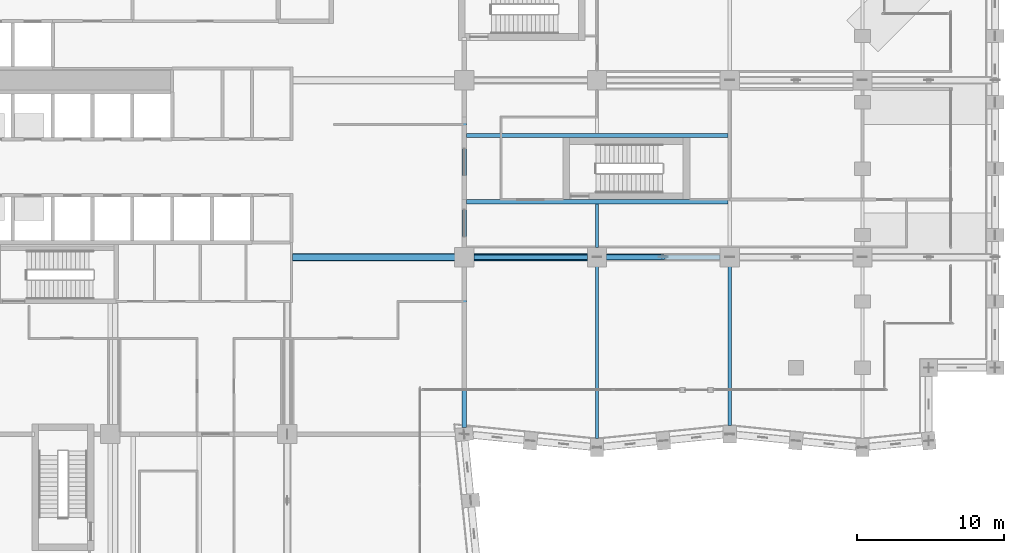
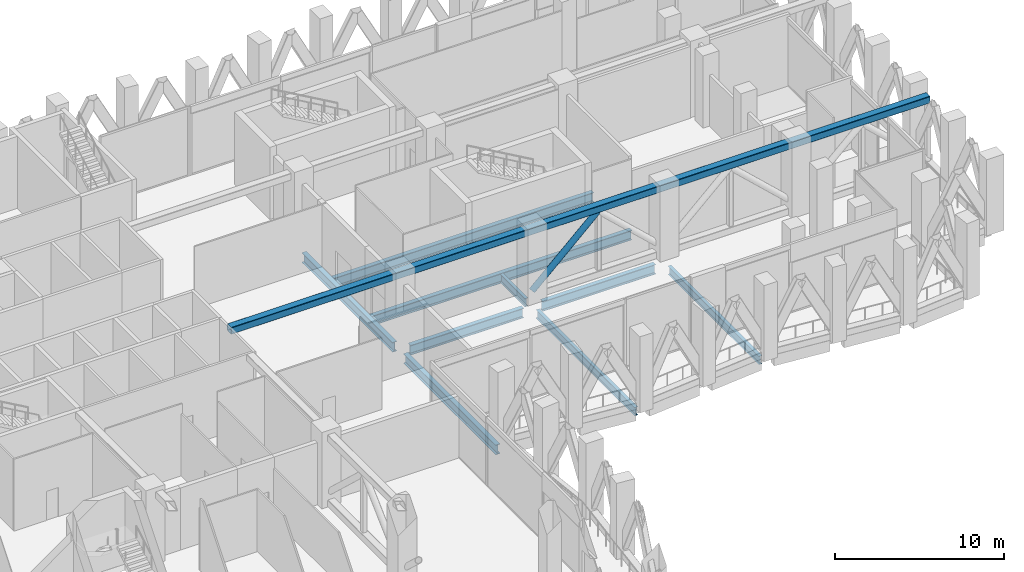
# One storey, part 13 of 37: 9 beams, 2 members.
"""IFC4 building model written with IfcOpenShell, lengths in metres."""

import ifcopenshell
import ifcopenshell.guid

model = None  # the IFC model being written
_history = None  # IfcOwnerHistory: only IFC2X3 demands one
_inside = {}  # id of a spatial element -> (the spatial element, [elements in it])
_under = {}  # id of a project, library or spatial element -> (it, [spatial elements below it])
_declared = {}  # id of a project -> (the project, [libraries it declares])
_typed = {}  # id of a type object -> (the type object, [elements of that type])
_made_of = {}  # id of a material, layer set ... -> (it, [elements and type objects made of it])


def new_model(schema):
    """Start an empty IFC model of exactly this schema.

    Asked for "IFC4X3", IfcOpenShell would pick the latest addendum, in which some entities
    have other attributes; the version numbers below select the first issue.
    IFC2X3 requires an IfcOwnerHistory on every rooted entity: one is made here for all.
    """
    global model, _history
    if schema == "IFC4X3":
        model = ifcopenshell.file(schema_version=(4, 3, 0, 0))
    else:
        model = ifcopenshell.file(schema=schema)
    _inside.clear()
    _under.clear()
    _declared.clear()
    _typed.clear()
    _made_of.clear()
    _history = None
    if model.schema == "IFC2X3":
        org = make("IfcOrganization", Name="unknown")
        user = make(
            "IfcPersonAndOrganization",
            ThePerson=make("IfcPerson", FamilyName="unknown"),
            TheOrganization=org,
        )
        app = make(
            "IfcApplication",
            ApplicationDeveloper=org,
            Version="unknown",
            ApplicationFullName="unknown",
            ApplicationIdentifier="unknown",
        )
        _history = make(
            "IfcOwnerHistory",
            OwningUser=user,
            OwningApplication=app,
            ChangeAction="ADDED",
            CreationDate=0,
        )
    return model


def make(cls, **values):
    """One entity of the class cls with the attributes given. An attribute that is None is left unset."""
    return model.create_entity(
        cls, **{name: value for name, value in values.items() if value is not None}
    )


def rooted(cls, **values):
    """An entity with a GlobalId (a new one), such as an element, a storey or a relation."""
    return make(cls, GlobalId=ifcopenshell.guid.new(), OwnerHistory=_history, **values)


def si_unit(unit_type, name, prefix=None):
    """IfcSIUnit, for example si_unit("LENGTHUNIT", "METRE", prefix="MILLI")."""
    return make("IfcSIUnit", UnitType=unit_type, Prefix=prefix, Name=name)


def assignment(units):
    """IfcUnitAssignment: the units of a project."""
    return None if units is None else make("IfcUnitAssignment", Units=units)


def point(xyz):
    """IfcCartesianPoint."""
    return None if xyz is None else make("IfcCartesianPoint", Coordinates=xyz)


def direction(xyz):
    """IfcDirection."""
    return None if xyz is None else make("IfcDirection", DirectionRatios=xyz)


def frame(location, z_axis=None, x_axis=None):
    """IfcAxis2Placement3D, a coordinate frame: its origin and axes. An axis left out is left unset."""
    return make(
        "IfcAxis2Placement3D",
        Location=point(location),
        Axis=direction(z_axis),
        RefDirection=direction(x_axis),
    )


def frame_2d(location, x_axis=None):
    """IfcAxis2Placement2D, a coordinate frame in the plane: its origin and x axis."""
    return make(
        "IfcAxis2Placement2D", Location=point(location), RefDirection=direction(x_axis)
    )


def origin():
    """The frame at (0, 0, 0) with its axes left unset."""
    return frame((0.0, 0.0, 0.0))


def origin_2d():
    """The frame at (0, 0) in the plane with its x axis left unset."""
    return frame_2d((0.0, 0.0))


def place(relative_to, where):
    """IfcLocalPlacement: puts the frame where relative to a parent placement (None: the world)."""
    return make(
        "IfcLocalPlacement", PlacementRelTo=relative_to, RelativePlacement=where
    )


def context(
    kind, dimensions, precision=None, world=None, true_north=None, identifier=None
):
    """IfcGeometricRepresentationContext, for example the 3D "Model" context."""
    return make(
        "IfcGeometricRepresentationContext",
        ContextIdentifier=identifier,
        ContextType=kind,
        CoordinateSpaceDimension=dimensions,
        Precision=precision,
        WorldCoordinateSystem=world,
        TrueNorth=true_north,
    )


def subcontext(parent, identifier, kind, view, scale=None):
    """IfcGeometricRepresentationSubContext, for example "Body" below "Model"."""
    return make(
        "IfcGeometricRepresentationSubContext",
        ContextIdentifier=identifier,
        ContextType=kind,
        ParentContext=parent,
        TargetScale=scale,
        TargetView=view,
    )


def project(units=None, contexts=None):
    """IfcProject with its units and contexts."""
    return rooted(
        "IfcProject",
        Name="project",
        RepresentationContexts=contexts,
        UnitsInContext=assignment(units),
    )


def spatial(cls, under=None, at=None, **own):
    """A site, building, storey or space (cls), placed at a placement, below another one or the project."""
    s = rooted(cls, ObjectPlacement=at, **own)
    if under is not None:
        _under.setdefault(under.id(), (under, []))[1].append(s)
    return s


def profile(cls, at=None, kind="AREA", **sizes):
    """A parametric profile (cls). Its sizes go by their IFC names, for example OverallWidth=200.0."""
    return make(cls, ProfileType=kind, Position=at, **sizes)


def hollow_rectangle(**sizes):
    """IfcRectangleHollowProfileDef."""
    return profile("IfcRectangleHollowProfileDef", **sizes)


def hollow_circle(**sizes):
    """IfcCircleHollowProfileDef."""
    return profile("IfcCircleHollowProfileDef", **sizes)


def i_section(**sizes):
    """IfcIShapeProfileDef."""
    return profile("IfcIShapeProfileDef", **sizes)


def extrude(swept, where, along, depth):
    """IfcExtrudedAreaSolid: the profile swept, set in the frame where, extruded along a direction by depth."""
    return make(
        "IfcExtrudedAreaSolid",
        SweptArea=swept,
        Position=where,
        ExtrudedDirection=direction(along),
        Depth=depth,
    )


def shape(context_of_items, identifier, shape_type, items):
    """IfcShapeRepresentation: the items that make up one representation, for example the "Body"."""
    return make(
        "IfcShapeRepresentation",
        ContextOfItems=context_of_items,
        RepresentationIdentifier=identifier,
        RepresentationType=shape_type,
        Items=items,
    )


def material(Name=None, Category=None):
    """IfcMaterial."""
    return make("IfcMaterial", Name=Name, Category=Category)


def material_profile(
    of_material, cross_section, Name=None, Category=None, Priority=None
):
    """IfcMaterialProfile: a cross section and its material."""
    return make(
        "IfcMaterialProfile",
        Name=Name,
        Material=of_material,
        Profile=cross_section,
        Priority=Priority,
        Category=Category,
    )


def profile_set(profiles, Name=None, composite=None):
    """IfcMaterialProfileSet."""
    return make(
        "IfcMaterialProfileSet",
        Name=Name,
        MaterialProfiles=profiles,
        CompositeProfile=composite,
    )


def made_of(thing, what):
    """Note that an element or type object is made of a material, layer set ...; save() writes the relation."""
    if what is not None:
        _made_of.setdefault(what.id(), (what, []))[1].append(thing)
    return thing


def type_object(cls, material=None, **own):
    """A type object (cls), such as IfcWallType, which elements share."""
    return made_of(rooted(cls, **own), material)


def element(
    cls,
    number,
    at=None,
    inside=None,
    cuts=None,
    type_object=None,
    material=None,
    context=None,
    identifier="Body",
    shape_type=None,
    held_by="IfcProductDefinitionShape",
    body=None,
    shapes=None,
    **own,
):
    """One element of the class cls, such as IfcWall. Its Tag is "e" and its number.

    at: its placement. inside: the storey or other place that contains it. cuts: it is an
    opening in that element (IfcRelVoidsElement). A single representation is given by context,
    identifier, shape_type and body (its items); several are given by shapes. held_by: the class
    of the entity that holds the representations. save() writes the other relations.
    """
    e = rooted(cls, Tag="e%d" % number, ObjectPlacement=at, **own)
    if body is not None:
        shapes = [shape(context, identifier, shape_type, body)]
    if shapes is not None:
        e.Representation = make(held_by, Representations=shapes)
    if inside is not None:
        _inside.setdefault(inside.id(), (inside, []))[1].append(e)
    if cuts is not None:
        rooted(
            "IfcRelVoidsElement", RelatingBuildingElement=cuts, RelatedOpeningElement=e
        )
    if type_object is not None:
        _typed.setdefault(type_object.id(), (type_object, []))[1].append(e)
    return made_of(e, material)


def aggregate(whole, parts):
    """IfcRelAggregates: a whole, such as a stair, and the parts it consists of."""
    return rooted("IfcRelAggregates", RelatingObject=whole, RelatedObjects=parts)


def save(model, path):
    """Write the relations noted so far, then the file.

    IfcRelAggregates (storeys below a building ...), IfcRelContainedInSpatialStructure (elements
    in a storey), IfcRelDefinesByType, IfcRelAssociatesMaterial and IfcRelDeclares: one each for
    every whole, place, type object, material and project.
    """
    for whole, parts in _under.values():
        aggregate(whole, parts)
    for where, things in _inside.values():
        rooted(
            "IfcRelContainedInSpatialStructure",
            RelatedElements=things,
            RelatingStructure=where,
        )
    for kind, things in _typed.values():
        rooted("IfcRelDefinesByType", RelatedObjects=things, RelatingType=kind)
    for what, things in _made_of.values():
        rooted("IfcRelAssociatesMaterial", RelatedObjects=things, RelatingMaterial=what)
    for by, libraries in _declared.values():
        rooted("IfcRelDeclares", RelatingContext=by, RelatedDefinitions=libraries)
    model.write(path)


model = new_model("IFC4")

# Units and contexts
model_context = context("Model", 3, precision=1e-05, world=origin(), true_north=direction((0.0, 1.0)))
body_context = subcontext(model_context, "Body", "Model", "MODEL_VIEW")
ifc_project = project(units=[si_unit("LENGTHUNIT", "METRE"), si_unit("AREAUNIT", "SQUARE_METRE"), si_unit("VOLUMEUNIT", "CUBIC_METRE"), si_unit("PLANEANGLEUNIT", "RADIAN"), si_unit("MASSUNIT", "GRAM", prefix="KILO")], contexts=[model_context])

# Site, building, storey
site_placement = place(None, origin())
site = spatial("IfcSite", under=ifc_project, at=site_placement, CompositionType="ELEMENT")
building_placement = place(site_placement, origin())
building = spatial("IfcBuilding", under=site, at=building_placement, Name="Brondeck Convention Tower", CompositionType="ELEMENT")
storey_placement = place(building_placement, frame((0.0, 0.0, 137.89990234375)))
storey = spatial("IfcBuildingStorey", under=building, at=storey_placement, Name="L33", CompositionType="ELEMENT", Elevation=137.89990234375)

# Beams
ifc_material_1 = material(Name="Steel S355", Category="steel")
ifc_material_profile_1 = material_profile(ifc_material_1, i_section(OverallWidth=0.219970703125, OverallDepth=0.60009765625, WebThickness=0.011962890625, FlangeThickness=0.01904296875, FilletRadius=0.02392578125, at=origin_2d()), Name="IPE 600")
ifc_profile_set_1 = profile_set([ifc_material_profile_1], Name="Steel S355")
beam_type_1 = type_object("IfcBeamType", Name="Floor beam IPE 600", PredefinedType="BEAM", material=ifc_profile_set_1)
beam_1_placement = place(storey_placement, frame((45.0, 26.699951171875, -0.75), z_axis=(0.0, 1.0, 0.0), x_axis=(-1.0, 0.0, 0.0)))
element("IfcBeam", 1, at=beam_1_placement, inside=storey, type_object=beam_type_1, Name="STR-FB-L33-001", PredefinedType="BEAM", context=body_context, shape_type="SweptSolid", body=[
    extrude(i_section(OverallWidth=0.219970703125, OverallDepth=0.60009765625, WebThickness=0.011962890625, FlangeThickness=0.01904296875, FilletRadius=0.02392578125, at=origin_2d()), origin(), (0.0, 0.0, 1.0), 11.650146484375),
])
beam_2_placement = place(storey_placement, frame((54.0, 27.60009765625, -0.75), z_axis=(0.0, 1.0, 0.0), x_axis=(-1.0, 0.0, 0.0)))
element("IfcBeam", 2, at=beam_2_placement, inside=storey, type_object=beam_type_1, Name="STR-FB-L33-003", PredefinedType="BEAM", context=body_context, shape_type="SweptSolid", body=[
    extrude(i_section(OverallWidth=0.219970703125, OverallDepth=0.60009765625, WebThickness=0.011962890625, FlangeThickness=0.01904296875, FilletRadius=0.02392578125, at=origin_2d()), origin(), (0.0, 0.0, 1.0), 10.75),
])
beam_3_placement = place(storey_placement, frame((45.0, 39.64990234375, -0.75), z_axis=(0.0, 1.0, 0.0), x_axis=(-1.0, 0.0, 0.0)))
element("IfcBeam", 3, at=beam_3_placement, inside=storey, type_object=beam_type_1, Name="STR-FB-L33-014", PredefinedType="BEAM", context=body_context, shape_type="SweptSolid", body=[
    extrude(i_section(OverallWidth=0.219970703125, OverallDepth=0.60009765625, WebThickness=0.011962890625, FlangeThickness=0.01904296875, FilletRadius=0.02392578125, at=origin_2d()), origin(), (0.0, 0.0, 1.0), 2.9501953125),
])
ifc_material_profile_2 = material_profile(ifc_material_1, i_section(OverallWidth=0.300048828125, OverallDepth=0.699951171875, WebThickness=0.01708984375, FlangeThickness=0.031982421875, FilletRadius=0.027099609375, at=origin_2d()), Name="HEB 700")
ifc_profile_set_2 = profile_set([ifc_material_profile_2], Name="Steel S355")
beam_type_2 = type_object("IfcBeamType", Name="Girder HEB 700", PredefinedType="BEAM", material=ifc_profile_set_2)
for number, where, z_axis, x_axis, name in (
    (4, (36.64990234375, 39.0, -0.7998046875), (1.0, 0.0, 0.0), (0.0, 1.0, 0.0), "STR-GR-L33-001"),
    (5, (45.64990234375, 39.0, -0.7998046875), (1.0, 0.0, 0.0), (0.0, 1.0, 0.0), "STR-GR-L33-002"),
):
    element("IfcBeam", number, at=place(storey_placement, frame(where, z_axis=z_axis, x_axis=x_axis)), inside=storey, type_object=beam_type_2, Name=name, PredefinedType="BEAM", context=body_context, shape_type="SweptSolid", body=[
        extrude(i_section(OverallWidth=0.300048828125, OverallDepth=0.699951171875, WebThickness=0.01708984375, FlangeThickness=0.031982421875, FilletRadius=0.027099609375, at=origin_2d()), origin(), (0.0, 0.0, 1.0), 7.7001953125),
    ])
beam_4_placement = place(storey_placement, frame((36.0, 27.4521484375, -0.7998046875), z_axis=(0.0, 1.0, 0.0), x_axis=(-1.0, 0.0, 0.0)))
element("IfcBeam", 6, at=beam_4_placement, inside=storey, type_object=beam_type_2, Name="STR-GR-L33-009", PredefinedType="BEAM", context=body_context, shape_type="SweptSolid", body=[
    extrude(i_section(OverallWidth=0.300048828125, OverallDepth=0.699951171875, WebThickness=0.01708984375, FlangeThickness=0.031982421875, FilletRadius=0.027099609375, at=origin_2d()), origin(), (0.0, 0.0, 1.0), 10.89794921875),
])
beam_5_placement = place(storey_placement, frame((36.0, 39.64990234375, -0.7998046875), z_axis=(0.0, 1.0, 0.0), x_axis=(-1.0, 0.0, 0.0)))
element("IfcBeam", 7, at=beam_5_placement, inside=storey, type_object=beam_type_2, Name="STR-GR-L33-010", PredefinedType="BEAM", context=body_context, shape_type="SweptSolid", body=[
    extrude(i_section(OverallWidth=0.300048828125, OverallDepth=0.699951171875, WebThickness=0.01708984375, FlangeThickness=0.031982421875, FilletRadius=0.027099609375, at=origin_2d()), origin(), (0.0, 0.0, 1.0), 10.7001953125),
])
for number, where, z_axis, x_axis, name in (
    (8, (36.14990234375, 42.75, -0.7998046875), (1.0, 0.0, 0.0), (0.0, 1.0, 0.0), "STR-GR-L33-024"),
    (9, (36.14990234375, 47.25, -0.7998046875), (1.0, 0.0, 0.0), (0.0, 1.0, 0.0), "STR-GR-L33-025"),
):
    element("IfcBeam", number, at=place(storey_placement, frame(where, z_axis=z_axis, x_axis=x_axis)), inside=storey, type_object=beam_type_2, Name=name, PredefinedType="BEAM", context=body_context, shape_type="SweptSolid", body=[
        extrude(i_section(OverallWidth=0.300048828125, OverallDepth=0.699951171875, WebThickness=0.01708984375, FlangeThickness=0.031982421875, FilletRadius=0.027099609375, at=origin_2d()), origin(), (0.0, 0.0, 1.0), 17.739990234375),
    ])

# Members
ifc_material_2 = material(Name="Steel S460", Category="steel")
ifc_material_profile_3 = material_profile(ifc_material_2, hollow_rectangle(XDim=0.5, YDim=0.5, WallThickness=0.02490234375, InnerFilletRadius=0.02490234375, OuterFilletRadius=0.050048828125, at=origin_2d()), Name="RHS 500x500x25")
ifc_profile_set_3 = profile_set([ifc_material_profile_3], Name="Steel S460")
member_type_1 = type_object("IfcMemberType", Name="Truss chord RHS 500x500x25", PredefinedType="CHORD", material=ifc_profile_set_3)
member_1_placement = place(storey_placement, frame((24.344970703125, 39.0, 4.9501953125), z_axis=(1.0, 0.0, 0.0), x_axis=(0.0, 1.0, 0.0)))
element("IfcMember", 10, at=member_1_placement, inside=storey, type_object=member_type_1, Name="Outrigger truss OT-33-A1 chord", PredefinedType="CHORD", context=body_context, shape_type="SweptSolid", body=[
    extrude(hollow_rectangle(XDim=0.5, YDim=0.5, WallThickness=0.02490234375, InnerFilletRadius=0.02490234375, OuterFilletRadius=0.050048828125, at=origin_2d()), origin(), (0.0, 0.0, 1.0), 47.655029296875),
])
ifc_material_profile_4 = material_profile(ifc_material_2, hollow_circle(Radius=0.203125, WallThickness=0.02490234375, at=origin_2d()), Name="CHS 406.4x25")
ifc_profile_set_4 = profile_set([ifc_material_profile_4], Name="Steel S460")
member_type_2 = type_object("IfcMemberType", Name="Truss diagonal CHS 406.4x25", PredefinedType="BRACE", material=ifc_profile_set_4)
member_2_placement = place(storey_placement, frame((45.0, 39.0, 0.5), z_axis=(0.731039441158, 0.0, 0.682335207557), x_axis=(0.0, 1.0, 0.0)))
element("IfcMember", 11, at=member_2_placement, inside=storey, type_object=member_type_2, Name="Outrigger truss OT-33-A1 diagonal", PredefinedType="BRACE", context=body_context, shape_type="SweptSolid", body=[
    extrude(hollow_circle(Radius=0.203125, WallThickness=0.02490234375, at=origin_2d()), origin(), (0.0, 0.0, 1.0), 6.155517578125),
])

save(model, "model.ifc")
